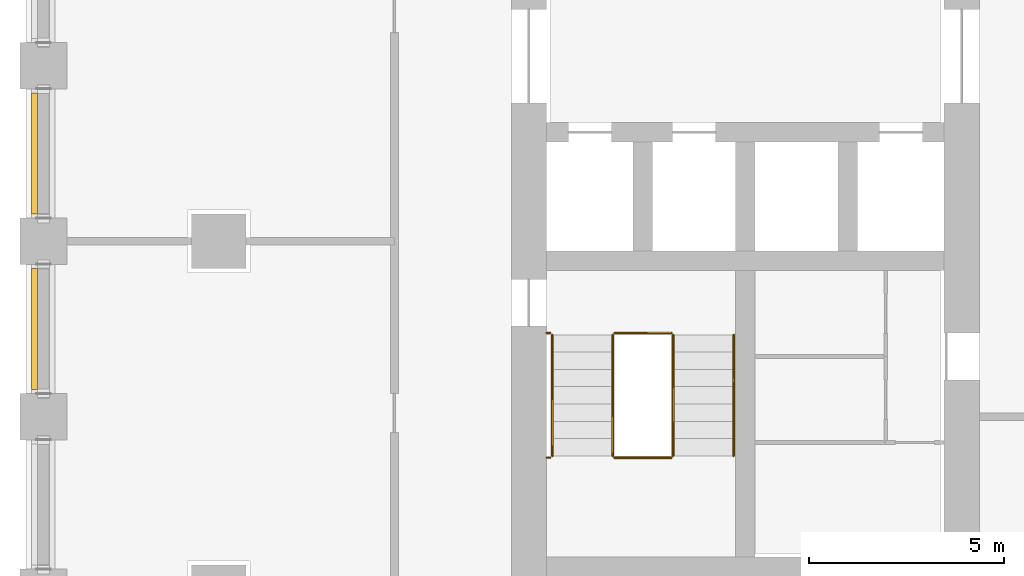
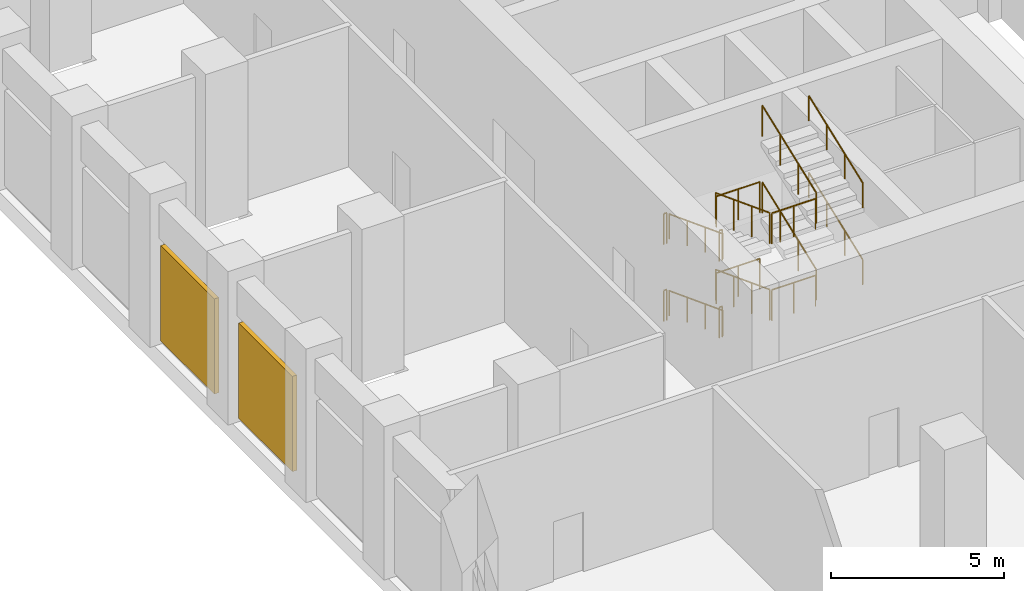
# One storey, part 14 of 20: 16 railings, 2 shading devices.
"""IFC4 building model written with IfcOpenShell, lengths in metres."""

from ifc_helpers import new_model, si_unit, direction, frame, origin, origin_2d, place, context, subcontext, project, spatial, rectangle, circle, extrude, material, layer, layer_set, type_object, element, save


model = new_model("IFC4")

# Units and contexts
model_context = context("Model", 3, precision=1e-05, world=origin(), true_north=direction((0.0, 1.0)))
body_context = subcontext(model_context, "Body", "Model", "MODEL_VIEW")
ifc_project = project(units=[si_unit("LENGTHUNIT", "METRE"), si_unit("AREAUNIT", "SQUARE_METRE"), si_unit("VOLUMEUNIT", "CUBIC_METRE"), si_unit("PLANEANGLEUNIT", "RADIAN"), si_unit("MASSUNIT", "GRAM", prefix="KILO")], contexts=[model_context])

# Site, building, storey
site_placement = place(None, origin())
site = spatial("IfcSite", under=ifc_project, at=site_placement, CompositionType="ELEMENT")
building_placement = place(site_placement, origin())
building = spatial("IfcBuilding", under=site, at=building_placement, Name="Corbel Stack Research Tower", CompositionType="ELEMENT")
storey_placement = place(building_placement, frame((0.0, 0.0, 76.60009765625)))
storey = spatial("IfcBuildingStorey", under=building, at=storey_placement, Name="L17", CompositionType="ELEMENT", Elevation=76.60009765625)

# Shading devices
ifc_material_1 = material(Name="Aluminium louvre", Category="aluminium")
ifc_layer = layer(ifc_material_1, 0.14990234375)
ifc_layer_set = layer_set([ifc_layer], Name="Aluminium louvre")
shading_device_type = type_object("IfcShadingDeviceType", Name="Plant louvre 150", PredefinedType="USERDEFINED", material=ifc_layer_set)
for number, where, z_axis, x_axis, name in (
    (1, (-22.72509765625, 2.25, 0.199951171875), (0.0, 0.0, 1.0), (0.0, -1.0, 0.0), "Plant louvre L17 W05"),
    (2, (-22.72509765625, -2.25, 0.199951171875), (0.0, 0.0, 1.0), (0.0, -1.0, 0.0), "Plant louvre L17 W06"),
):
    element("IfcShadingDevice", number, at=place(storey_placement, frame(where, z_axis=z_axis, x_axis=x_axis)), inside=storey, type_object=shading_device_type, Name=name, ObjectType="LOUVRE", PredefinedType="USERDEFINED", context=body_context, shape_type="SweptSolid", body=[
        extrude(rectangle(XDim=3.10009765625, YDim=0.14990234375, at=origin_2d()), origin(), (0.0, 0.0, 1.0), 3.35009765625),
    ])

# Railings
ifc_material_2 = material(Name="Steel S355", Category="steel")
railing_type_1 = type_object("IfcRailingType", Name="Stair guard 1100", PredefinedType="GUARDRAIL", material=ifc_material_2)
railing_1_placement = place(storey_placement, frame((-7.89990234375, -2.39990234375, 0.168701171875)))
element("IfcRailing", 3, at=railing_1_placement, inside=storey, type_object=railing_type_1, Name="L17 ST-W1 stair guard 1", PredefinedType="GUARDRAIL", context=body_context, shape_type="SweptSolid", body=[
    extrude(circle(Radius=0.02392578125, at=origin_2d()), frame((0.0, 0.0, 1.076171875), z_axis=(0.0, -0.934508712189, 0.355940257406), x_axis=(1.0, 0.0, 0.0)), (0.0, 0.0, 1.0), 3.318359375),
    extrude(circle(Radius=0.02099609375, at=origin_2d()), origin(), (0.0, 0.0, 1.0), 1.052001953125),
    extrude(circle(Radius=0.02099609375, at=origin_2d()), frame((0.0, -1.03369140625, 0.393798828125)), (0.0, 0.0, 1.0), 1.052001953125),
    extrude(circle(Radius=0.02099609375, at=origin_2d()), frame((0.0, -2.0673828125, 0.787353515625)), (0.0, 0.0, 1.0), 1.052001953125),
    extrude(circle(Radius=0.02099609375, at=origin_2d()), frame((0.0, -3.10107421875, 1.18115234375)), (0.0, 0.0, 1.0), 1.052001953125),
])
railing_2_placement = place(storey_placement, frame((-7.85009765625, -5.551025390625, 1.349853515625)))
element("IfcRailing", 4, at=railing_2_placement, inside=storey, type_object=railing_type_1, Name="L17 ST-W1 stair guard 2", PredefinedType="GUARDRAIL", context=body_context, shape_type="SweptSolid", body=[
    extrude(circle(Radius=0.02392578125, at=origin_2d()), frame((0.0, 0.0, 1.076171875), z_axis=(1.0, 0.0, 0.0), x_axis=(0.0, 1.0, 0.0)), (0.0, 0.0, 1.0), 1.4501953125),
    extrude(circle(Radius=0.02099609375, at=origin_2d()), origin(), (0.0, 0.0, 1.0), 1.052001953125),
    extrude(circle(Radius=0.02099609375, at=origin_2d()), frame((0.72509765625, 0.0, 0.0)), (0.0, 0.0, 1.0), 1.052001953125),
    extrude(circle(Radius=0.02099609375, at=origin_2d()), frame((1.4501953125, 0.0, 0.0)), (0.0, 0.0, 1.0), 1.052001953125),
])
railing_3_placement = place(storey_placement, frame((-9.60009765625, -5.551025390625, 1.349853515625)))
element("IfcRailing", 5, at=railing_3_placement, inside=storey, type_object=railing_type_1, Name="L17 ST-W1 stair guard 3", PredefinedType="GUARDRAIL", context=body_context, shape_type="SweptSolid", body=[
    extrude(circle(Radius=0.02392578125, at=origin_2d()), frame((0.0, 0.0, 1.076171875), z_axis=(1.0, 0.0, 0.0), x_axis=(0.0, 1.0, 0.0)), (0.0, 0.0, 1.0), 0.10009765625),
    extrude(circle(Radius=0.02099609375, at=origin_2d()), origin(), (0.0, 0.0, 1.0), 1.052001953125),
    extrude(circle(Radius=0.02099609375, at=origin_2d()), frame((0.10009765625, 0.0, 0.0)), (0.0, 0.0, 1.0), 1.052001953125),
])
railing_4_placement = place(storey_placement, frame((-6.35009765625, -5.5009765625, 1.5185546875)))
element("IfcRailing", 6, at=railing_4_placement, inside=storey, type_object=railing_type_1, Name="L17 ST-W1 stair guard 4", PredefinedType="GUARDRAIL", context=body_context, shape_type="SweptSolid", body=[
    extrude(circle(Radius=0.02392578125, at=origin_2d()), frame((0.0, 0.0, 1.076171875), z_axis=(0.0, 0.934484238495, 0.356004505596), x_axis=(-1.0, 0.0, 0.0)), (0.0, 0.0, 1.0), 3.318603515625),
    extrude(circle(Radius=0.02099609375, at=origin_2d()), origin(), (0.0, 0.0, 1.0), 1.052001953125),
    extrude(circle(Radius=0.02099609375, at=origin_2d()), frame((0.0, 1.03369140625, 0.393798828125)), (0.0, 0.0, 1.0), 1.052001953125),
    extrude(circle(Radius=0.02099609375, at=origin_2d()), frame((0.0, 2.0673828125, 0.78759765625)), (0.0, 0.0, 1.0), 1.052001953125),
    extrude(circle(Radius=0.02099609375, at=origin_2d()), frame((0.0, 3.10107421875, 1.181396484375)), (0.0, 0.0, 1.0), 1.052001953125),
])
railing_5_placement = place(storey_placement, frame((-7.85009765625, -2.35009765625, 2.699951171875)))
element("IfcRailing", 7, at=railing_5_placement, inside=storey, type_object=railing_type_1, Name="L17 ST-W1 stair guard 5", PredefinedType="GUARDRAIL", context=body_context, shape_type="SweptSolid", body=[
    extrude(circle(Radius=0.02392578125, at=origin_2d()), frame((0.0, 0.0, 1.076171875), z_axis=(1.0, 0.0, 0.0), x_axis=(0.0, 1.0, 0.0)), (0.0, 0.0, 1.0), 1.4501953125),
    extrude(circle(Radius=0.02099609375, at=origin_2d()), origin(), (0.0, 0.0, 1.0), 1.052001953125),
    extrude(circle(Radius=0.02099609375, at=origin_2d()), frame((0.72509765625, 0.0, 0.0)), (0.0, 0.0, 1.0), 1.052001953125),
    extrude(circle(Radius=0.02099609375, at=origin_2d()), frame((1.4501953125, 0.0, 0.0)), (0.0, 0.0, 1.0), 1.052001953125),
])
railing_6_placement = place(storey_placement, frame((-9.60009765625, -2.35009765625, 2.699951171875)))
element("IfcRailing", 8, at=railing_6_placement, inside=storey, type_object=railing_type_1, Name="L17 ST-W1 stair guard 6", PredefinedType="GUARDRAIL", context=body_context, shape_type="SweptSolid", body=[
    extrude(circle(Radius=0.02392578125, at=origin_2d()), frame((0.0, 0.0, 1.076171875), z_axis=(1.0, 0.0, 0.0), x_axis=(0.0, 1.0, 0.0)), (0.0, 0.0, 1.0), 0.10009765625),
    extrude(circle(Radius=0.02099609375, at=origin_2d()), origin(), (0.0, 0.0, 1.0), 1.052001953125),
    extrude(circle(Radius=0.02099609375, at=origin_2d()), frame((0.10009765625, 0.0, 0.0)), (0.0, 0.0, 1.0), 1.052001953125),
])
railing_7_placement = place(storey_placement, frame((-7.89990234375, -2.39990234375, 2.86865234375)))
element("IfcRailing", 9, at=railing_7_placement, inside=storey, type_object=railing_type_1, Name="L17 ST-W1 stair guard 7", PredefinedType="GUARDRAIL", context=body_context, shape_type="SweptSolid", body=[
    extrude(circle(Radius=0.02392578125, at=origin_2d()), frame((0.0, 0.0, 1.076171875), z_axis=(0.0, -0.934508712189, 0.355940257406), x_axis=(1.0, 0.0, 0.0)), (0.0, 0.0, 1.0), 3.318359375),
    extrude(circle(Radius=0.02099609375, at=origin_2d()), origin(), (0.0, 0.0, 1.0), 1.052001953125),
    extrude(circle(Radius=0.02099609375, at=origin_2d()), frame((0.0, -1.03369140625, 0.393798828125)), (0.0, 0.0, 1.0), 1.052001953125),
    extrude(circle(Radius=0.02099609375, at=origin_2d()), frame((0.0, -2.0673828125, 0.787353515625)), (0.0, 0.0, 1.0), 1.052001953125),
    extrude(circle(Radius=0.02099609375, at=origin_2d()), frame((0.0, -3.10107421875, 1.18115234375)), (0.0, 0.0, 1.0), 1.052001953125),
])
railing_8_placement = place(storey_placement, frame((-7.85009765625, -5.551025390625, 4.0498046875)))
element("IfcRailing", 10, at=railing_8_placement, inside=storey, type_object=railing_type_1, Name="L17 ST-W1 stair guard 8", PredefinedType="GUARDRAIL", context=body_context, shape_type="SweptSolid", body=[
    extrude(circle(Radius=0.02392578125, at=origin_2d()), frame((0.0, 0.0, 1.076171875), z_axis=(1.0, 0.0, 0.0), x_axis=(0.0, 1.0, 0.0)), (0.0, 0.0, 1.0), 1.4501953125),
    extrude(circle(Radius=0.02099609375, at=origin_2d()), origin(), (0.0, 0.0, 1.0), 1.052001953125),
    extrude(circle(Radius=0.02099609375, at=origin_2d()), frame((0.72509765625, 0.0, 0.0)), (0.0, 0.0, 1.0), 1.052001953125),
    extrude(circle(Radius=0.02099609375, at=origin_2d()), frame((1.4501953125, 0.0, 0.0)), (0.0, 0.0, 1.0), 1.052001953125),
])
railing_9_placement = place(storey_placement, frame((-9.60009765625, -5.551025390625, 4.0498046875)))
element("IfcRailing", 11, at=railing_9_placement, inside=storey, type_object=railing_type_1, Name="L17 ST-W1 stair guard 9", PredefinedType="GUARDRAIL", context=body_context, shape_type="SweptSolid", body=[
    extrude(circle(Radius=0.02392578125, at=origin_2d()), frame((0.0, 0.0, 1.076171875), z_axis=(1.0, 0.0, 0.0), x_axis=(0.0, 1.0, 0.0)), (0.0, 0.0, 1.0), 0.10009765625),
    extrude(circle(Radius=0.02099609375, at=origin_2d()), origin(), (0.0, 0.0, 1.0), 1.052001953125),
    extrude(circle(Radius=0.02099609375, at=origin_2d()), frame((0.10009765625, 0.0, 0.0)), (0.0, 0.0, 1.0), 1.052001953125),
])
railing_10_placement = place(storey_placement, frame((-6.35009765625, -5.5009765625, 4.21875)))
element("IfcRailing", 12, at=railing_10_placement, inside=storey, type_object=railing_type_1, Name="L17 ST-W1 stair guard 10", PredefinedType="GUARDRAIL", context=body_context, shape_type="SweptSolid", body=[
    extrude(circle(Radius=0.02392578125, at=origin_2d()), frame((0.0, 0.0, 1.076171875), z_axis=(0.0, 0.934508712189, 0.355940257406), x_axis=(-1.0, 0.0, 0.0)), (0.0, 0.0, 1.0), 3.318359375),
    extrude(circle(Radius=0.02099609375, at=origin_2d()), origin(), (0.0, 0.0, 1.0), 1.052001953125),
    extrude(circle(Radius=0.02099609375, at=origin_2d()), frame((0.0, 1.03369140625, 0.393798828125)), (0.0, 0.0, 1.0), 1.052001953125),
    extrude(circle(Radius=0.02099609375, at=origin_2d()), frame((0.0, 2.0673828125, 0.787353515625)), (0.0, 0.0, 1.0), 1.052001953125),
    extrude(circle(Radius=0.02099609375, at=origin_2d()), frame((0.0, 3.10107421875, 1.18115234375)), (0.0, 0.0, 1.0), 1.052001953125),
])
railing_11_placement = place(storey_placement, frame((-7.85009765625, -2.35009765625, 0.0)))
element("IfcRailing", 13, at=railing_11_placement, inside=storey, type_object=railing_type_1, Name="L17 ST-W1 stair guard 11", PredefinedType="GUARDRAIL", context=body_context, shape_type="SweptSolid", body=[
    extrude(circle(Radius=0.02392578125, at=origin_2d()), frame((0.0, 0.0, 1.076171875), z_axis=(1.0, 0.0, 0.0), x_axis=(0.0, 1.0, 0.0)), (0.0, 0.0, 1.0), 1.4501953125),
    extrude(circle(Radius=0.02099609375, at=origin_2d()), origin(), (0.0, 0.0, 1.0), 1.052001953125),
    extrude(circle(Radius=0.02099609375, at=origin_2d()), frame((0.72509765625, 0.0, 0.0)), (0.0, 0.0, 1.0), 1.052001953125),
    extrude(circle(Radius=0.02099609375, at=origin_2d()), frame((1.4501953125, 0.0, 0.0)), (0.0, 0.0, 1.0), 1.052001953125),
])
railing_12_placement = place(storey_placement, frame((-9.60009765625, -2.35009765625, 0.0)))
element("IfcRailing", 14, at=railing_12_placement, inside=storey, type_object=railing_type_1, Name="L17 ST-W1 stair guard 12", PredefinedType="GUARDRAIL", context=body_context, shape_type="SweptSolid", body=[
    extrude(circle(Radius=0.02392578125, at=origin_2d()), frame((0.0, 0.0, 1.076171875), z_axis=(1.0, 0.0, 0.0), x_axis=(0.0, 1.0, 0.0)), (0.0, 0.0, 1.0), 0.10009765625),
    extrude(circle(Radius=0.02099609375, at=origin_2d()), origin(), (0.0, 0.0, 1.0), 1.052001953125),
    extrude(circle(Radius=0.02099609375, at=origin_2d()), frame((0.10009765625, 0.0, 0.0)), (0.0, 0.0, 1.0), 1.052001953125),
])
ifc_material_3 = material(Name="Steel S355", Category="steel")
railing_type_2 = type_object("IfcRailingType", Name="Stair handrail 900", PredefinedType="HANDRAIL", material=ifc_material_3)
railing_13_placement = place(storey_placement, frame((-9.449951171875, -2.39990234375, 0.168701171875)))
element("IfcRailing", 15, at=railing_13_placement, inside=storey, type_object=railing_type_2, Name="L17 ST-W1 stair handrail 1", PredefinedType="HANDRAIL", context=body_context, shape_type="SweptSolid", body=[
    extrude(circle(Radius=0.02392578125, at=origin_2d()), frame((0.0, 0.0, 0.8759765625), z_axis=(0.0, -0.934508712189, 0.355940257406), x_axis=(1.0, 0.0, 0.0)), (0.0, 0.0, 1.0), 3.318359375),
    extrude(circle(Radius=0.02099609375, at=origin_2d()), origin(), (0.0, 0.0, 1.0), 0.851806640625),
    extrude(circle(Radius=0.02099609375, at=origin_2d()), frame((0.0, -1.03369140625, 0.393798828125)), (0.0, 0.0, 1.0), 0.851806640625),
    extrude(circle(Radius=0.02099609375, at=origin_2d()), frame((0.0, -2.0673828125, 0.787353515625)), (0.0, 0.0, 1.0), 0.851806640625),
    extrude(circle(Radius=0.02099609375, at=origin_2d()), frame((0.0, -3.10107421875, 1.18115234375)), (0.0, 0.0, 1.0), 0.851806640625),
])
railing_14_placement = place(storey_placement, frame((-4.800048828125, -5.5009765625, 1.5185546875)))
element("IfcRailing", 16, at=railing_14_placement, inside=storey, type_object=railing_type_2, Name="L17 ST-W1 stair handrail 2", PredefinedType="HANDRAIL", context=body_context, shape_type="SweptSolid", body=[
    extrude(circle(Radius=0.02392578125, at=origin_2d()), frame((0.0, 0.0, 0.8759765625), z_axis=(0.0, 0.934484238495, 0.356004505596), x_axis=(-1.0, 0.0, 0.0)), (0.0, 0.0, 1.0), 3.318603515625),
    extrude(circle(Radius=0.02099609375, at=origin_2d()), origin(), (0.0, 0.0, 1.0), 0.851806640625),
    extrude(circle(Radius=0.02099609375, at=origin_2d()), frame((0.0, 1.03369140625, 0.393798828125)), (0.0, 0.0, 1.0), 0.851806640625),
    extrude(circle(Radius=0.02099609375, at=origin_2d()), frame((0.0, 2.0673828125, 0.78759765625)), (0.0, 0.0, 1.0), 0.851806640625),
    extrude(circle(Radius=0.02099609375, at=origin_2d()), frame((0.0, 3.10107421875, 1.181396484375)), (0.0, 0.0, 1.0), 0.851806640625),
])
railing_15_placement = place(storey_placement, frame((-9.449951171875, -2.39990234375, 2.86865234375)))
element("IfcRailing", 17, at=railing_15_placement, inside=storey, type_object=railing_type_2, Name="L17 ST-W1 stair handrail 3", PredefinedType="HANDRAIL", context=body_context, shape_type="SweptSolid", body=[
    extrude(circle(Radius=0.02392578125, at=origin_2d()), frame((0.0, 0.0, 0.8759765625), z_axis=(0.0, -0.934508712189, 0.355940257406), x_axis=(1.0, 0.0, 0.0)), (0.0, 0.0, 1.0), 3.318359375),
    extrude(circle(Radius=0.02099609375, at=origin_2d()), origin(), (0.0, 0.0, 1.0), 0.851806640625),
    extrude(circle(Radius=0.02099609375, at=origin_2d()), frame((0.0, -1.03369140625, 0.393798828125)), (0.0, 0.0, 1.0), 0.851806640625),
    extrude(circle(Radius=0.02099609375, at=origin_2d()), frame((0.0, -2.0673828125, 0.787353515625)), (0.0, 0.0, 1.0), 0.851806640625),
    extrude(circle(Radius=0.02099609375, at=origin_2d()), frame((0.0, -3.10107421875, 1.18115234375)), (0.0, 0.0, 1.0), 0.851806640625),
])
railing_16_placement = place(storey_placement, frame((-4.800048828125, -5.5009765625, 4.21875)))
element("IfcRailing", 18, at=railing_16_placement, inside=storey, type_object=railing_type_2, Name="L17 ST-W1 stair handrail 4", PredefinedType="HANDRAIL", context=body_context, shape_type="SweptSolid", body=[
    extrude(circle(Radius=0.02392578125, at=origin_2d()), frame((0.0, 0.0, 0.8759765625), z_axis=(0.0, 0.934508712189, 0.355940257406), x_axis=(-1.0, 0.0, 0.0)), (0.0, 0.0, 1.0), 3.318359375),
    extrude(circle(Radius=0.02099609375, at=origin_2d()), origin(), (0.0, 0.0, 1.0), 0.851806640625),
    extrude(circle(Radius=0.02099609375, at=origin_2d()), frame((0.0, 1.03369140625, 0.393798828125)), (0.0, 0.0, 1.0), 0.851806640625),
    extrude(circle(Radius=0.02099609375, at=origin_2d()), frame((0.0, 2.0673828125, 0.787353515625)), (0.0, 0.0, 1.0), 0.851806640625),
    extrude(circle(Radius=0.02099609375, at=origin_2d()), frame((0.0, 3.10107421875, 1.18115234375)), (0.0, 0.0, 1.0), 0.851806640625),
])

save(model, "model.ifc")
